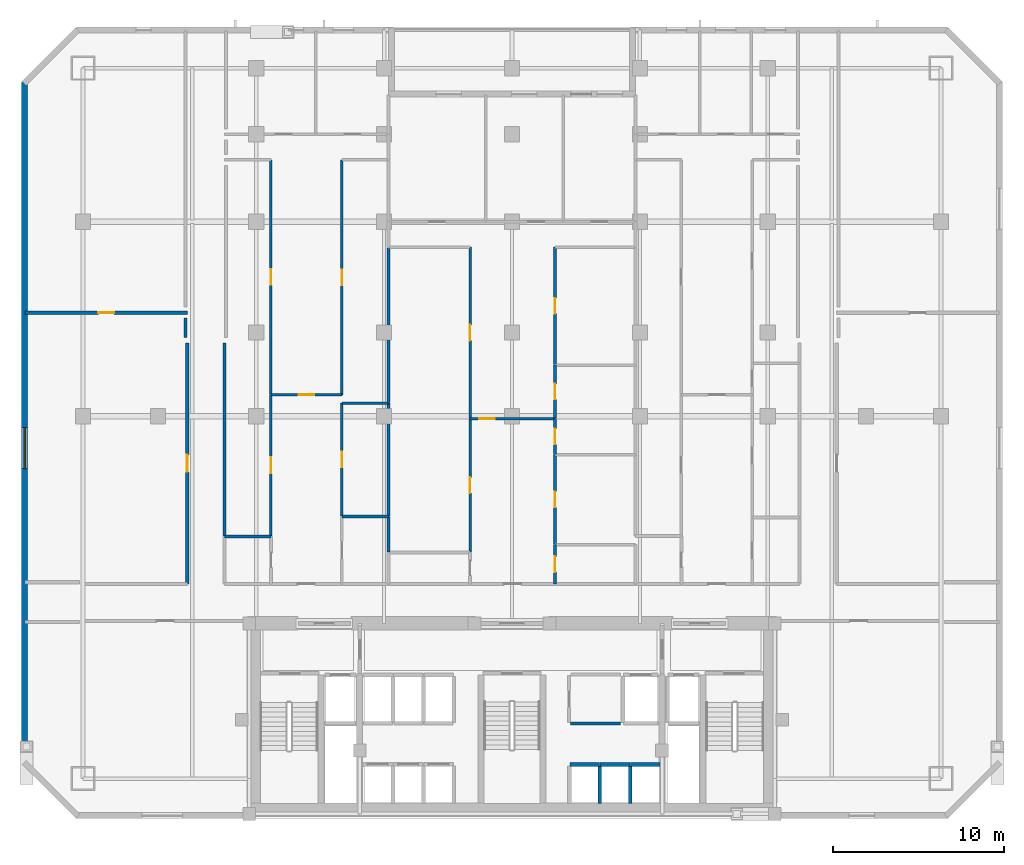
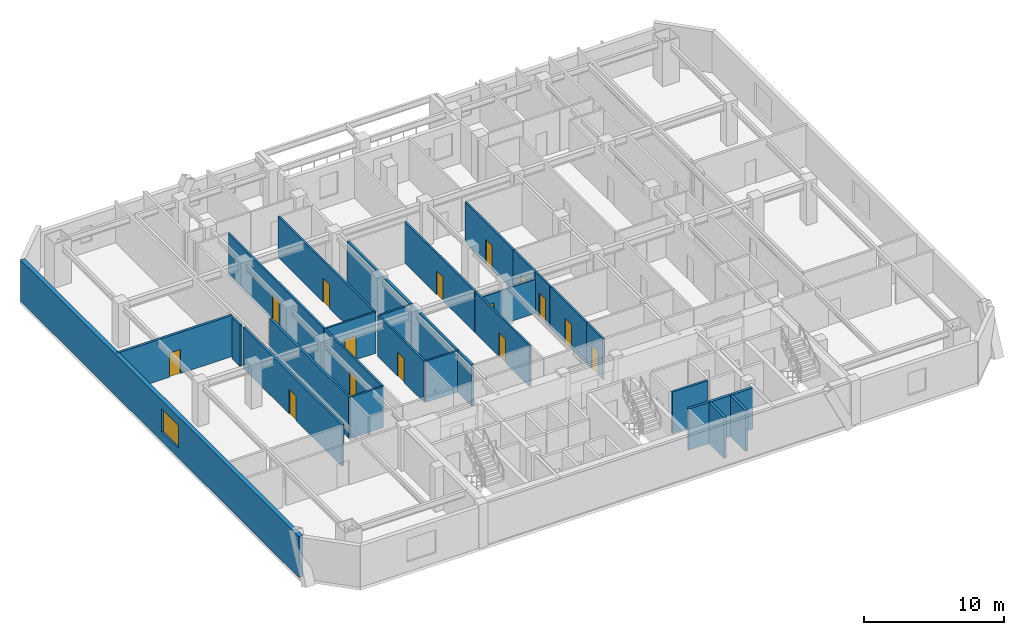
# One storey, part 4 of 10: 30 walls, 15 doors, 1 window, 16 openings.
"""IFC4 building model written with IfcOpenShell, lengths in metres."""

from ifc_helpers import new_model, si_unit, direction, frame, frame_2d, origin, place, context, subcontext, project, spatial, rectangle, extrude, material, layer, layer_set, type_object, element, fill, save


model = new_model("IFC4")

# Units and contexts
model_context = context("Model", 3, precision=1e-05, world=origin(), true_north=direction((0.0, 1.0)))
body_context = subcontext(model_context, "Body", "Model", "MODEL_VIEW")
ifc_project = project(units=[si_unit("LENGTHUNIT", "METRE"), si_unit("AREAUNIT", "SQUARE_METRE"), si_unit("VOLUMEUNIT", "CUBIC_METRE"), si_unit("PLANEANGLEUNIT", "RADIAN"), si_unit("MASSUNIT", "GRAM", prefix="KILO")], contexts=[model_context])

# Site, building, storey
site_placement = place(None, origin())
site = spatial("IfcSite", under=ifc_project, at=site_placement, CompositionType="ELEMENT")
building_placement = place(site_placement, origin())
building = spatial("IfcBuilding", under=site, at=building_placement, Name="Ventersveld Concourse Tower", CompositionType="ELEMENT")
storey_placement = place(building_placement, frame((0.0, 0.0, 60.60009765625)))
storey = spatial("IfcBuildingStorey", under=building, at=storey_placement, Name="L14", CompositionType="ELEMENT", Elevation=60.60009765625)

# Wall
ifc_material_1 = material(Name="Fire-rated autoclaved aerated masonry blockwork", Category="masonry")
ifc_layer_1 = layer(ifc_material_1, 0.179931640625)
ifc_layer_set_1 = layer_set([ifc_layer_1], Name="Fire-rated autoclaved aerated masonry blockwork")
wall_type_1 = type_object("IfcWallType", Name="WL-CORR-180", PredefinedType="PARTITIONING", material=ifc_layer_set_1)
wall_1_placement = place(storey_placement, frame((32.179931640625, 5.570068359375, 0.0), z_axis=(0.0, 0.0, 1.0), x_axis=(1.0, 0.0, 0.0)))
element("IfcWall", 1, at=wall_1_placement, inside=storey, type_object=wall_type_1, Name="L14 Core Bot Wall SP-L14-CBAY1", PredefinedType="PARTITIONING", context=body_context, shape_type="SweptSolid", body=[
    extrude(rectangle(XDim=2.920166015625, YDim=0.179931640625, at=frame_2d((1.4599609375, 0.0))), origin(), (0.0, 0.0, 1.0), 3.599853515625),
])

# Wall, opening, door
wall_2_placement = place(storey_placement, frame((9.7099609375, 13.764892578125, 0.0), z_axis=(0.0, 0.0, 1.0), x_axis=(0.0, 1.0, 0.0)))
wall_2 = element("IfcWall", 2, at=wall_2_placement, inside=storey, type_object=wall_type_1, Name="L14 Interior Partition SP-L14-COR-SP-L14-NWLNG1", PredefinedType="PARTITIONING", context=body_context, shape_type="SweptSolid", body=[
    extrude(rectangle(XDim=14.130126953125, YDim=0.179931640625, at=frame_2d((7.06494140625, 0.0))), origin(), (0.0, 0.0, 1.0), 3.599853515625),
])
opening_1_placement = place(wall_2_placement, frame((6.56494140625, 0.0, 0.0)))
opening_1 = element("IfcOpeningElement", 3, at=opening_1_placement, cuts=wall_2, Name="Opening FD3", PredefinedType="OPENING", context=body_context, shape_type="SweptSolid", body=[
    extrude(rectangle(XDim=1.0, YDim=2.14990234375, at=frame_2d((0.5, 1.074951171875))), frame((0.0, 0.10009765625, 0.0), z_axis=(0.0, -1.0, 0.0), x_axis=(1.0, 0.0, 0.0)), (0.0, 0.0, 1.0), 0.199951171875),
])
ifc_material_2 = material(Name="Solid-core hardwood veneer timber", Category="wood")
door_type_1 = type_object("IfcDoorType", Name="DR-FLAT-100", OperationType="NOTDEFINED", PredefinedType="DOOR", material=ifc_material_2)
door_1_placement = place(opening_1_placement, origin())
door_1 = element("IfcDoor", 4, at=door_1_placement, inside=storey, type_object=door_type_1, Name="L14 Interior Door SP-L14-COR to SP-L14-NWLNG1 (D-L14-0607)", OperationType="SINGLE_SWING_LEFT", OverallHeight=2.14990234375, OverallWidth=1.0, PredefinedType="DOOR", context=body_context, shape_type="SweptSolid", body=[
    extrude(rectangle(XDim=1.0, YDim=2.14990234375, at=frame_2d((0.5, 1.074951171875))), frame((0.0, 0.02490234375, 0.0), z_axis=(0.0, -1.0, 0.0), x_axis=(1.0, 0.0, 0.0)), (0.0, 0.0, 1.0), 0.050048828125),
])
fill(opening_1, door_1)

# Walls
wall_3_placement = place(storey_placement, frame((11.889892578125, 16.574462890625, 0.0), z_axis=(0.0, 0.0, 1.0), x_axis=(0.0, 1.0, 0.0)))
element("IfcWall", 5, at=wall_3_placement, inside=storey, type_object=wall_type_1, Name="L14 Interior Partition SP-L14-COR-SP-L14-14CW-OFFL0", PredefinedType="PARTITIONING", context=body_context, shape_type="SweptSolid", body=[
    extrude(rectangle(XDim=11.320556640625, YDim=0.179931640625, at=frame_2d((5.66015625, 0.0))), origin(), (0.0, 0.0, 1.0), 3.599853515625),
])
wall_4_placement = place(storey_placement, frame((9.6201171875, 29.344970703125, 0.0), z_axis=(0.0, 0.0, 1.0), x_axis=(0.0, -1.0, 0.0)))
element("IfcWall", 6, at=wall_4_placement, inside=storey, type_object=wall_type_1, Name="L14 Room Enclosure Wall SP-L14-NWLNG1", PredefinedType="PARTITIONING", context=body_context, shape_type="SweptSolid", body=[
    extrude(rectangle(XDim=1.135009765625, YDim=0.179931640625, at=frame_2d((0.5673828125, 0.0))), origin(), (0.0, 0.0, 1.0), 3.599853515625),
])

# Wall, opening, door
ifc_layer_2 = layer(ifc_material_1, 0.199951171875)
ifc_layer_set_2 = layer_set([ifc_layer_2], Name="Fire-rated autoclaved aerated masonry blockwork")
wall_type_2 = type_object("IfcWallType", Name="WL-DEMISE-200", PredefinedType="PARTITIONING", material=ifc_layer_set_2)
wall_5_placement = place(storey_placement, frame((0.2099609375, 29.669921875, 0.0), z_axis=(0.0, 0.0, 1.0), x_axis=(1.0, 0.0, 0.0)))
wall_5 = element("IfcWall", 7, at=wall_5_placement, inside=storey, type_object=wall_type_2, Name="L14 Interior Partition SP-L14-NWLNG1-SP-L14-NWLNG2", PredefinedType="PARTITIONING", context=body_context, shape_type="SweptSolid", body=[
    extrude(rectangle(XDim=9.505126953125, YDim=0.199951171875, at=frame_2d((4.75244140625, 0.0))), origin(), (0.0, 0.0, 1.0), 3.599853515625),
])
opening_2_placement = place(wall_5_placement, frame((4.29248046875, 0.0, 0.0)))
opening_2 = element("IfcOpeningElement", 8, at=opening_2_placement, cuts=wall_5, Name="Opening ID1", PredefinedType="OPENING", context=body_context, shape_type="SweptSolid", body=[
    extrude(rectangle(XDim=0.919921875, YDim=2.10009765625, at=frame_2d((0.4599609375, 1.050048828125))), frame((0.0, 0.10986328125, 0.0), z_axis=(0.0, -1.0, 0.0), x_axis=(1.0, 0.0, 0.0)), (0.0, 0.0, 1.0), 0.219970703125),
])
door_type_2 = type_object("IfcDoorType", Name="DR-ROOM-092", OperationType="NOTDEFINED", PredefinedType="DOOR", material=ifc_material_2)
door_2_placement = place(opening_2_placement, origin())
door_2 = element("IfcDoor", 9, at=door_2_placement, inside=storey, type_object=door_type_2, Name="L14 Interior Door SP-L14-NWLNG1 to SP-L14-NWLNG2 (D-L14-0612)", OperationType="SINGLE_SWING_RIGHT", OverallHeight=2.10009765625, OverallWidth=0.919921875, PredefinedType="DOOR", context=body_context, shape_type="SweptSolid", body=[
    extrude(rectangle(XDim=0.919921875, YDim=2.10009765625, at=frame_2d((0.4599609375, 1.050048828125))), frame((0.0, 0.02490234375, 0.0), z_axis=(0.0, -1.0, 0.0), x_axis=(1.0, 0.0, 0.0)), (0.0, 0.0, 1.0), 0.050048828125),
])
fill(opening_2, door_2)

# Walls
wall_6_placement = place(storey_placement, frame((21.510009765625, 15.635009765625, 0.0), z_axis=(0.0, 0.0, 1.0), x_axis=(0.0, 1.0, 0.0)))
element("IfcWall", 10, at=wall_6_placement, inside=storey, type_object=wall_type_2, Name="L14 Interior Partition SP-L14-14CW-KIT-SP-L14-14CM-SEML0", PredefinedType="PARTITIONING", context=body_context, shape_type="SweptSolid", body=[
    extrude(rectangle(XDim=2.08642578125, YDim=0.199951171875, at=frame_2d((1.043212890625, 0.0))), origin(), (0.0, 0.0, 1.0), 3.599853515625),
])
wall_7_placement = place(storey_placement, frame((21.510009765625, 17.75146484375, 0.0), z_axis=(0.0, 0.0, 1.0), x_axis=(0.0, 1.0, 0.0)))
element("IfcWall", 11, at=wall_7_placement, inside=storey, type_object=wall_type_2, Name="L14 Interior Partition SP-L14-14CW-SEMR1-SP-L14-14CM-SEML0", PredefinedType="PARTITIONING", context=body_context, shape_type="SweptSolid", body=[
    extrude(rectangle(XDim=6.6064453125, YDim=0.199951171875, at=frame_2d((3.30322265625, 0.0))), origin(), (0.0, 0.0, 1.0), 3.599853515625),
])
wall_8_placement = place(storey_placement, frame((21.510009765625, 24.387939453125, 0.0), z_axis=(0.0, 0.0, 1.0), x_axis=(0.0, 1.0, 0.0)))
element("IfcWall", 12, at=wall_8_placement, inside=storey, type_object=wall_type_2, Name="L14 Interior Partition SP-L14-14CW-DENS-SP-L14-14CM-SEML0", PredefinedType="PARTITIONING", context=body_context, shape_type="SweptSolid", body=[
    extrude(rectangle(XDim=9.0771484375, YDim=0.199951171875, at=frame_2d((4.53857421875, 0.0))), origin(), (0.0, 0.0, 1.0), 3.599853515625),
])
ifc_layer_3 = layer(ifc_material_1, 0.219970703125)
ifc_layer_set_3 = layer_set([ifc_layer_3], Name="Fire-rated autoclaved aerated masonry blockwork")
wall_type_3 = type_object("IfcWallType", Name="WL-HOIST-220", PredefinedType="SOLIDWALL", material=ifc_layer_set_3)
wall_9_placement = place(storey_placement, frame((33.89990234375, 0.89990234375, 0.0), z_axis=(0.0, 0.0, 1.0), x_axis=(0.0, 1.0, 0.0)))
element("IfcWall", 13, at=wall_9_placement, inside=storey, type_object=wall_type_3, Name="L14 Lift Hoistway Side Wall PM-01E", PredefinedType="SOLIDWALL", context=body_context, shape_type="SweptSolid", body=[
    extrude(rectangle(XDim=2.2001953125, YDim=0.219970703125, at=frame_2d((1.10009765625, 0.0))), origin(), (0.0, 0.0, 1.0), 3.599853515625),
])
wall_10_placement = place(storey_placement, frame((32.139892578125, 3.179931640625, 0.0), z_axis=(0.0, 0.0, 1.0), x_axis=(1.0, 0.0, 0.0)))
element("IfcWall", 14, at=wall_10_placement, inside=storey, type_object=wall_type_3, Name="L14 Lift Hoistway Front Wall PM-01", PredefinedType="SOLIDWALL", context=body_context, shape_type="SweptSolid", body=[
    extrude(rectangle(XDim=1.739990234375, YDim=0.219970703125, at=frame_2d((0.8701171875, 0.0))), origin(), (0.0, 0.0, 1.0), 3.599853515625),
])
wall_11_placement = place(storey_placement, frame((35.679931640625, 0.89990234375, 0.0), z_axis=(0.0, 0.0, 1.0), x_axis=(0.0, 1.0, 0.0)))
element("IfcWall", 15, at=wall_11_placement, inside=storey, type_object=wall_type_3, Name="L14 Lift Hoistway Side Wall PM-02E", PredefinedType="SOLIDWALL", context=body_context, shape_type="SweptSolid", body=[
    extrude(rectangle(XDim=2.2001953125, YDim=0.219970703125, at=frame_2d((1.10009765625, 0.0))), origin(), (0.0, 0.0, 1.0), 3.599853515625),
])
for number, where, z_axis, x_axis, name in (
    (16, (33.919921875, 3.179931640625, 0.0), (0.0, 0.0, 1.0), (1.0, 0.0, 0.0), "L14 Lift Hoistway Front Wall PM-02"),
    (17, (35.699951171875, 3.179931640625, 0.0), (0.0, 0.0, 1.0), (1.0, 0.0, 0.0), "L14 Lift Hoistway Front Wall PM-03"),
):
    element("IfcWall", number, at=place(storey_placement, frame(where, z_axis=z_axis, x_axis=x_axis)), inside=storey, type_object=wall_type_3, Name=name, PredefinedType="SOLIDWALL", context=body_context, shape_type="SweptSolid", body=[
        extrude(rectangle(XDim=1.739990234375, YDim=0.219970703125, at=frame_2d((0.8701171875, 0.0))), origin(), (0.0, 0.0, 1.0), 3.599853515625),
    ])

# Wall, opening, door
ifc_material_3 = material(Name="Autoclaved aerated masonry blockwork", Category="masonry")
ifc_layer_4 = layer(ifc_material_3, 0.14990234375)
ifc_layer_set_4 = layer_set([ifc_layer_4], Name="Autoclaved aerated masonry blockwork")
wall_type_4 = type_object("IfcWallType", Name="WL-INT-150", PredefinedType="PARTITIONING", material=ifc_layer_set_4)
wall_12_placement = place(storey_placement, frame((14.61376953125, 24.853759765625, 0.0), z_axis=(0.0, 0.0, 1.0), x_axis=(1.0, 0.0, 0.0)))
wall_12 = element("IfcWall", 18, at=wall_12_placement, inside=storey, type_object=wall_type_4, Name="L14 Interior Partition SP-L14-14CW-FOY-SP-L14-14CW-LIV", PredefinedType="PARTITIONING", context=body_context, shape_type="SweptSolid", body=[
    extrude(rectangle(XDim=4.17236328125, YDim=0.14990234375, at=frame_2d((2.086181640625, 0.0))), origin(), (0.0, 0.0, 1.0), 3.599853515625),
])
opening_3_placement = place(wall_12_placement, frame((1.626220703125, 0.0, 0.0)))
opening_3 = element("IfcOpeningElement", 19, at=opening_3_placement, cuts=wall_12, Name="Opening ID1", PredefinedType="OPENING", context=body_context, shape_type="SweptSolid", body=[
    extrude(rectangle(XDim=0.919921875, YDim=2.10009765625, at=frame_2d((0.4599609375, 1.050048828125))), frame((0.0, 0.0849609375, 0.0), z_axis=(0.0, -1.0, 0.0), x_axis=(1.0, 0.0, 0.0)), (0.0, 0.0, 1.0), 0.169921875),
])
door_3_placement = place(opening_3_placement, origin())
door_3 = element("IfcDoor", 20, at=door_3_placement, inside=storey, type_object=door_type_2, Name="L14 Interior Door SP-L14-14CW-FOY to SP-L14-14CW-LIV (D-L14-0614)", OperationType="SINGLE_SWING_RIGHT", OverallHeight=2.10009765625, OverallWidth=0.919921875, PredefinedType="DOOR", context=body_context, shape_type="SweptSolid", body=[
    extrude(rectangle(XDim=0.919921875, YDim=2.10009765625, at=frame_2d((0.4599609375, 1.050048828125))), frame((0.0, 0.02490234375, 0.0), z_axis=(0.0, -1.0, 0.0), x_axis=(1.0, 0.0, 0.0)), (0.0, 0.0, 1.0), 0.050048828125),
])
fill(opening_3, door_3)

wall_13_placement = place(storey_placement, frame((14.618896484375, 16.574462890625, 0.0), z_axis=(0.0, 0.0, 1.0), x_axis=(0.0, 1.0, 0.0)))
wall_13 = element("IfcWall", 21, at=wall_13_placement, inside=storey, type_object=wall_type_4, Name="L14 Interior Partition SP-L14-14CW-FOY-SP-L14-14CW-OFFL0", PredefinedType="PARTITIONING", context=body_context, shape_type="SweptSolid", body=[
    extrude(rectangle(XDim=8.284423828125, YDim=0.14990234375, at=frame_2d((4.14208984375, 0.0))), origin(), (0.0, 0.0, 1.0), 3.599853515625),
])
opening_4_placement = place(wall_13_placement, frame((3.68212890625, 0.0, 0.0)))
opening_4 = element("IfcOpeningElement", 22, at=opening_4_placement, cuts=wall_13, Name="Opening ID1", PredefinedType="OPENING", context=body_context, shape_type="SweptSolid", body=[
    extrude(rectangle(XDim=0.919921875, YDim=2.10009765625, at=frame_2d((0.4599609375, 1.050048828125))), frame((0.0, 0.0849609375, 0.0), z_axis=(0.0, -1.0, 0.0), x_axis=(1.0, 0.0, 0.0)), (0.0, 0.0, 1.0), 0.169921875),
])
door_4_placement = place(opening_4_placement, origin())
door_4 = element("IfcDoor", 23, at=door_4_placement, inside=storey, type_object=door_type_2, Name="L14 Interior Door SP-L14-14CW-FOY to SP-L14-14CW-OFFL0 (D-L14-0616)", OperationType="SINGLE_SWING_RIGHT", OverallHeight=2.10009765625, OverallWidth=0.919921875, PredefinedType="DOOR", context=body_context, shape_type="SweptSolid", body=[
    extrude(rectangle(XDim=0.919921875, YDim=2.10009765625, at=frame_2d((0.4599609375, 1.050048828125))), frame((0.0, 0.02490234375, 0.0), z_axis=(0.0, -1.0, 0.0), x_axis=(1.0, 0.0, 0.0)), (0.0, 0.0, 1.0), 0.050048828125),
])
fill(opening_4, door_4)

wall_14_placement = place(storey_placement, frame((18.78125, 17.75146484375, 0.0), z_axis=(0.0, 0.0, 1.0), x_axis=(0.0, 1.0, 0.0)))
wall_14 = element("IfcWall", 24, at=wall_14_placement, inside=storey, type_object=wall_type_4, Name="L14 Interior Partition SP-L14-14CW-FOY-SP-L14-14CW-SEMR1", PredefinedType="PARTITIONING", context=body_context, shape_type="SweptSolid", body=[
    extrude(rectangle(XDim=6.6064453125, YDim=0.14990234375, at=frame_2d((3.30322265625, 0.0))), origin(), (0.0, 0.0, 1.0), 3.599853515625),
])
opening_5_placement = place(wall_14_placement, frame((2.84326171875, 0.0, 0.0)))
opening_5 = element("IfcOpeningElement", 25, at=opening_5_placement, cuts=wall_14, Name="Opening ID1", PredefinedType="OPENING", context=body_context, shape_type="SweptSolid", body=[
    extrude(rectangle(XDim=0.919921875, YDim=2.10009765625, at=frame_2d((0.4599609375, 1.050048828125))), frame((0.0, 0.0849609375, 0.0), z_axis=(0.0, -1.0, 0.0), x_axis=(1.0, 0.0, 0.0)), (0.0, 0.0, 1.0), 0.169921875),
])
door_5_placement = place(opening_5_placement, origin())
door_5 = element("IfcDoor", 26, at=door_5_placement, inside=storey, type_object=door_type_2, Name="L14 Interior Door SP-L14-14CW-FOY to SP-L14-14CW-SEMR1 (D-L14-0618)", OperationType="SINGLE_SWING_RIGHT", OverallHeight=2.10009765625, OverallWidth=0.919921875, PredefinedType="DOOR", context=body_context, shape_type="SweptSolid", body=[
    extrude(rectangle(XDim=0.919921875, YDim=2.10009765625, at=frame_2d((0.4599609375, 1.050048828125))), frame((0.0, 0.02490234375, 0.0), z_axis=(0.0, -1.0, 0.0), x_axis=(1.0, 0.0, 0.0)), (0.0, 0.0, 1.0), 0.050048828125),
])
fill(opening_5, door_5)

wall_15_placement = place(storey_placement, frame((14.618896484375, 24.888916015625, 0.0), z_axis=(0.0, 0.0, 1.0), x_axis=(0.0, 1.0, 0.0)))
wall_15 = element("IfcWall", 27, at=wall_15_placement, inside=storey, type_object=wall_type_4, Name="L14 Interior Partition SP-L14-14CW-LIV-SP-L14-14CW-OFFL0", PredefinedType="PARTITIONING", context=body_context, shape_type="SweptSolid", body=[
    extrude(rectangle(XDim=13.736083984375, YDim=0.14990234375, at=frame_2d((6.8681640625, 0.0))), origin(), (0.0, 0.0, 1.0), 3.599853515625),
])
opening_6_placement = place(wall_15_placement, frame((6.408203125, 0.0, 0.0)))
opening_6 = element("IfcOpeningElement", 28, at=opening_6_placement, cuts=wall_15, Name="Opening ID1", PredefinedType="OPENING", context=body_context, shape_type="SweptSolid", body=[
    extrude(rectangle(XDim=0.919921875, YDim=2.10009765625, at=frame_2d((0.4599609375, 1.050048828125))), frame((0.0, 0.0849609375, 0.0), z_axis=(0.0, -1.0, 0.0), x_axis=(1.0, 0.0, 0.0)), (0.0, 0.0, 1.0), 0.169921875),
])
door_6_placement = place(opening_6_placement, origin())
door_6 = element("IfcDoor", 29, at=door_6_placement, inside=storey, type_object=door_type_2, Name="L14 Interior Door SP-L14-14CW-LIV to SP-L14-14CW-OFFL0 (D-L14-0619)", OperationType="SINGLE_SWING_LEFT", OverallHeight=2.10009765625, OverallWidth=0.919921875, PredefinedType="DOOR", context=body_context, shape_type="SweptSolid", body=[
    extrude(rectangle(XDim=0.919921875, YDim=2.10009765625, at=frame_2d((0.4599609375, 1.050048828125))), frame((0.0, 0.02490234375, 0.0), z_axis=(0.0, -1.0, 0.0), x_axis=(1.0, 0.0, 0.0)), (0.0, 0.0, 1.0), 0.050048828125),
])
fill(opening_6, door_6)

wall_16_placement = place(storey_placement, frame((18.78125, 24.848876953125, 0.0), z_axis=(0.0, 0.0, 1.0), x_axis=(0.0, 1.0, 0.0)))
wall_16 = element("IfcWall", 30, at=wall_16_placement, inside=storey, type_object=wall_type_4, Name="L14 Interior Partition SP-L14-14CW-LIV-SP-L14-14CW-DENS", PredefinedType="PARTITIONING", context=body_context, shape_type="SweptSolid", body=[
    extrude(rectangle(XDim=13.776123046875, YDim=0.14990234375, at=frame_2d((6.88818359375, 0.0))), origin(), (0.0, 0.0, 1.0), 3.599853515625),
])
opening_7_placement = place(wall_16_placement, frame((6.427978515625, 0.0, 0.0)))
opening_7 = element("IfcOpeningElement", 31, at=opening_7_placement, cuts=wall_16, Name="Opening ID1", PredefinedType="OPENING", context=body_context, shape_type="SweptSolid", body=[
    extrude(rectangle(XDim=0.919921875, YDim=2.10009765625, at=frame_2d((0.4599609375, 1.050048828125))), frame((0.0, 0.0849609375, 0.0), z_axis=(0.0, -1.0, 0.0), x_axis=(1.0, 0.0, 0.0)), (0.0, 0.0, 1.0), 0.169921875),
])
door_7_placement = place(opening_7_placement, origin())
door_7 = element("IfcDoor", 32, at=door_7_placement, inside=storey, type_object=door_type_2, Name="L14 Interior Door SP-L14-14CW-LIV to SP-L14-14CW-DENS (D-L14-0620)", OperationType="SINGLE_SWING_RIGHT", OverallHeight=2.10009765625, OverallWidth=0.919921875, PredefinedType="DOOR", context=body_context, shape_type="SweptSolid", body=[
    extrude(rectangle(XDim=0.919921875, YDim=2.10009765625, at=frame_2d((0.4599609375, 1.050048828125))), frame((0.0, 0.02490234375, 0.0), z_axis=(0.0, -1.0, 0.0), x_axis=(1.0, 0.0, 0.0)), (0.0, 0.0, 1.0), 0.050048828125),
])
fill(opening_7, door_7)

# Walls
for number, where, z_axis, x_axis, name in (
    (33, (18.776123046875, 17.716552734375, 0.0), (0.0, 0.0, 1.0), (1.0, 0.0, 0.0), "L14 Interior Partition SP-L14-14CW-KIT-SP-L14-14CW-SEMR1"),
    (34, (18.776123046875, 24.35302734375, 0.0), (0.0, 0.0, 1.0), (1.0, 0.0, 0.0), "L14 Interior Partition SP-L14-14CW-SEMR1-SP-L14-14CW-DENS"),
):
    element("IfcWall", number, at=place(storey_placement, frame(where, z_axis=z_axis, x_axis=x_axis)), inside=storey, type_object=wall_type_4, Name=name, PredefinedType="PARTITIONING", context=body_context, shape_type="SweptSolid", body=[
        extrude(rectangle(XDim=2.73876953125, YDim=0.14990234375, at=frame_2d((1.369384765625, 0.0))), origin(), (0.0, 0.0, 1.0), 3.599853515625),
    ])

# Wall, opening, door
wall_17_placement = place(storey_placement, frame((26.28466796875, 23.44580078125, 0.0), z_axis=(0.0, 0.0, 1.0), x_axis=(1.0, 0.0, 0.0)))
wall_17 = element("IfcWall", 35, at=wall_17_placement, inside=storey, type_object=wall_type_4, Name="L14 Interior Partition SP-L14-14CM-FOY-SP-L14-14CM-LIV", PredefinedType="PARTITIONING", context=body_context, shape_type="SweptSolid", body=[
    extrude(rectangle(XDim=4.989990234375, YDim=0.14990234375, at=frame_2d((2.4951171875, 0.0))), origin(), (0.0, 0.0, 1.0), 2.964111328125),
])
opening_8_placement = place(wall_17_placement, frame((0.5380859375, 0.0, 0.0)))
opening_8 = element("IfcOpeningElement", 36, at=opening_8_placement, cuts=wall_17, Name="Opening ID1", PredefinedType="OPENING", context=body_context, shape_type="SweptSolid", body=[
    extrude(rectangle(XDim=0.919921875, YDim=2.10009765625, at=frame_2d((0.4599609375, 1.050048828125))), frame((0.0, 0.0849609375, 0.0), z_axis=(0.0, -1.0, 0.0), x_axis=(1.0, 0.0, 0.0)), (0.0, 0.0, 1.0), 0.169921875),
])
door_8_placement = place(opening_8_placement, origin())
door_8 = element("IfcDoor", 37, at=door_8_placement, inside=storey, type_object=door_type_2, Name="L14 Interior Door SP-L14-14CM-FOY to SP-L14-14CM-LIV (D-L14-0634)", OperationType="SINGLE_SWING_RIGHT", OverallHeight=2.10009765625, OverallWidth=0.919921875, PredefinedType="DOOR", context=body_context, shape_type="SweptSolid", body=[
    extrude(rectangle(XDim=0.919921875, YDim=2.10009765625, at=frame_2d((0.4599609375, 1.050048828125))), frame((0.0, 0.02490234375, 0.0), z_axis=(0.0, -1.0, 0.0), x_axis=(1.0, 0.0, 0.0)), (0.0, 0.0, 1.0), 0.050048828125),
])
fill(opening_8, door_8)

wall_18_placement = place(storey_placement, frame((26.289794921875, 15.635009765625, 0.0), z_axis=(0.0, 0.0, 1.0), x_axis=(0.0, 1.0, 0.0)))
wall_18 = element("IfcWall", 38, at=wall_18_placement, inside=storey, type_object=wall_type_4, Name="L14 Interior Partition SP-L14-14CM-FOY-SP-L14-14CM-SEML0", PredefinedType="PARTITIONING", context=body_context, shape_type="SweptSolid", body=[
    extrude(rectangle(XDim=7.815673828125, YDim=0.14990234375, at=frame_2d((3.90771484375, 0.0))), origin(), (0.0, 0.0, 1.0), 3.599853515625),
])
opening_9_placement = place(wall_18_placement, frame((3.447998046875, 0.0, 0.0)))
opening_9 = element("IfcOpeningElement", 39, at=opening_9_placement, cuts=wall_18, Name="Opening ID1", PredefinedType="OPENING", context=body_context, shape_type="SweptSolid", body=[
    extrude(rectangle(XDim=0.919921875, YDim=2.10009765625, at=frame_2d((0.4599609375, 1.050048828125))), frame((0.0, 0.0849609375, 0.0), z_axis=(0.0, -1.0, 0.0), x_axis=(1.0, 0.0, 0.0)), (0.0, 0.0, 1.0), 0.169921875),
])
door_9_placement = place(opening_9_placement, origin())
door_9 = element("IfcDoor", 40, at=door_9_placement, inside=storey, type_object=door_type_2, Name="L14 Interior Door SP-L14-14CM-FOY to SP-L14-14CM-SEML0 (D-L14-0636)", OperationType="SINGLE_SWING_RIGHT", OverallHeight=2.10009765625, OverallWidth=0.919921875, PredefinedType="DOOR", context=body_context, shape_type="SweptSolid", body=[
    extrude(rectangle(XDim=0.919921875, YDim=2.10009765625, at=frame_2d((0.4599609375, 1.050048828125))), frame((0.0, 0.02490234375, 0.0), z_axis=(0.0, -1.0, 0.0), x_axis=(1.0, 0.0, 0.0)), (0.0, 0.0, 1.0), 0.050048828125),
])
fill(opening_9, door_9)

wall_19_placement = place(storey_placement, frame((31.269775390625, 13.764892578125, 0.0), z_axis=(0.0, 0.0, 1.0), x_axis=(0.0, 1.0, 0.0)))
wall_19 = element("IfcWall", 41, at=wall_19_placement, inside=storey, type_object=wall_type_4, Name="L14 Interior Partition SP-L14-14CM-FOY-SP-L14-14CM-KIT", PredefinedType="PARTITIONING", context=body_context, shape_type="SweptSolid", body=[
    extrude(rectangle(XDim=2.304443359375, YDim=0.14990234375, at=frame_2d((1.15234375, 0.0))), origin(), (0.0, 0.0, 1.0), 3.599853515625),
])
opening_10_placement = place(wall_19_placement, frame((0.692138671875, 0.0, 0.0)))
opening_10 = element("IfcOpeningElement", 42, at=opening_10_placement, cuts=wall_19, Name="Opening ID1", PredefinedType="OPENING", context=body_context, shape_type="SweptSolid", body=[
    extrude(rectangle(XDim=0.919921875, YDim=2.10009765625, at=frame_2d((0.4599609375, 1.050048828125))), frame((0.0, 0.0849609375, 0.0), z_axis=(0.0, -1.0, 0.0), x_axis=(1.0, 0.0, 0.0)), (0.0, 0.0, 1.0), 0.169921875),
])
door_10_placement = place(opening_10_placement, origin())
door_10 = element("IfcDoor", 43, at=door_10_placement, inside=storey, type_object=door_type_2, Name="L14 Interior Door SP-L14-14CM-FOY to SP-L14-14CM-KIT (D-L14-0637)", OperationType="SINGLE_SWING_LEFT", OverallHeight=2.10009765625, OverallWidth=0.919921875, PredefinedType="DOOR", context=body_context, shape_type="SweptSolid", body=[
    extrude(rectangle(XDim=0.919921875, YDim=2.10009765625, at=frame_2d((0.4599609375, 1.050048828125))), frame((0.0, 0.02490234375, 0.0), z_axis=(0.0, -1.0, 0.0), x_axis=(1.0, 0.0, 0.0)), (0.0, 0.0, 1.0), 0.050048828125),
])
fill(opening_10, door_10)

wall_20_placement = place(storey_placement, frame((31.269775390625, 16.099365234375, 0.0), z_axis=(0.0, 0.0, 1.0), x_axis=(0.0, 1.0, 0.0)))
wall_20 = element("IfcWall", 44, at=wall_20_placement, inside=storey, type_object=wall_type_4, Name="L14 Interior Partition SP-L14-14CM-FOY-SP-L14-14CM-DENR", PredefinedType="PARTITIONING", context=body_context, shape_type="SweptSolid", body=[
    extrude(rectangle(XDim=5.233642578125, YDim=0.14990234375, at=frame_2d((2.61669921875, 0.0))), origin(), (0.0, 0.0, 1.0), 3.599853515625),
])
opening_11_placement = place(wall_20_placement, frame((2.15673828125, 0.0, 0.0)))
opening_11 = element("IfcOpeningElement", 45, at=opening_11_placement, cuts=wall_20, Name="Opening ID1", PredefinedType="OPENING", context=body_context, shape_type="SweptSolid", body=[
    extrude(rectangle(XDim=0.919921875, YDim=2.10009765625, at=frame_2d((0.4599609375, 1.050048828125))), frame((0.0, 0.0849609375, 0.0), z_axis=(0.0, -1.0, 0.0), x_axis=(1.0, 0.0, 0.0)), (0.0, 0.0, 1.0), 0.169921875),
])
door_11_placement = place(opening_11_placement, origin())
door_11 = element("IfcDoor", 46, at=door_11_placement, inside=storey, type_object=door_type_2, Name="L14 Interior Door SP-L14-14CM-FOY to SP-L14-14CM-DENR (D-L14-0638)", OperationType="SINGLE_SWING_RIGHT", OverallHeight=2.10009765625, OverallWidth=0.919921875, PredefinedType="DOOR", context=body_context, shape_type="SweptSolid", body=[
    extrude(rectangle(XDim=0.919921875, YDim=2.10009765625, at=frame_2d((0.4599609375, 1.050048828125))), frame((0.0, 0.02490234375, 0.0), z_axis=(0.0, -1.0, 0.0), x_axis=(1.0, 0.0, 0.0)), (0.0, 0.0, 1.0), 0.050048828125),
])
fill(opening_11, door_11)

wall_21_placement = place(storey_placement, frame((31.269775390625, 21.363037109375, 0.0), z_axis=(0.0, 0.0, 1.0), x_axis=(0.0, 1.0, 0.0)))
wall_21 = element("IfcWall", 47, at=wall_21_placement, inside=storey, type_object=wall_type_4, Name="L14 Interior Partition SP-L14-14CM-FOY-SP-L14-14CM-DENS", PredefinedType="PARTITIONING", context=body_context, shape_type="SweptSolid", body=[
    extrude(rectangle(XDim=2.087646484375, YDim=0.14990234375, at=frame_2d((1.0439453125, 0.0))), origin(), (0.0, 0.0, 1.0), 3.599853515625),
])
opening_12_placement = place(wall_21_placement, frame((0.583740234375, 0.0, 0.0)))
opening_12 = element("IfcOpeningElement", 48, at=opening_12_placement, cuts=wall_21, Name="Opening ID1", PredefinedType="OPENING", context=body_context, shape_type="SweptSolid", body=[
    extrude(rectangle(XDim=0.919921875, YDim=2.10009765625, at=frame_2d((0.4599609375, 1.050048828125))), frame((0.0, 0.0849609375, 0.0), z_axis=(0.0, -1.0, 0.0), x_axis=(1.0, 0.0, 0.0)), (0.0, 0.0, 1.0), 0.169921875),
])
door_12_placement = place(opening_12_placement, origin())
door_12 = element("IfcDoor", 49, at=door_12_placement, inside=storey, type_object=door_type_2, Name="L14 Interior Door SP-L14-14CM-FOY to SP-L14-14CM-DENS (D-L14-0639)", OperationType="SINGLE_SWING_LEFT", OverallHeight=2.10009765625, OverallWidth=0.919921875, PredefinedType="DOOR", context=body_context, shape_type="SweptSolid", body=[
    extrude(rectangle(XDim=0.919921875, YDim=2.10009765625, at=frame_2d((0.4599609375, 1.050048828125))), frame((0.0, 0.02490234375, 0.0), z_axis=(0.0, -1.0, 0.0), x_axis=(1.0, 0.0, 0.0)), (0.0, 0.0, 1.0), 0.050048828125),
])
fill(opening_12, door_12)

wall_22_placement = place(storey_placement, frame((26.289794921875, 23.480712890625, 0.0), z_axis=(0.0, 0.0, 1.0), x_axis=(0.0, 1.0, 0.0)))
wall_22 = element("IfcWall", 50, at=wall_22_placement, inside=storey, type_object=wall_type_4, Name="L14 Interior Partition SP-L14-14CM-LIV-SP-L14-14CM-SEML0", PredefinedType="PARTITIONING", context=body_context, shape_type="SweptSolid", body=[
    extrude(rectangle(XDim=10.024169921875, YDim=0.14990234375, at=frame_2d((5.01220703125, 0.0))), origin(), (0.0, 0.0, 1.0), 3.599853515625),
])
opening_13_placement = place(wall_22_placement, frame((4.552001953125, 0.0, 0.0)))
opening_13 = element("IfcOpeningElement", 51, at=opening_13_placement, cuts=wall_22, Name="Opening ID1", PredefinedType="OPENING", context=body_context, shape_type="SweptSolid", body=[
    extrude(rectangle(XDim=0.919921875, YDim=2.10009765625, at=frame_2d((0.4599609375, 1.050048828125))), frame((0.0, 0.0849609375, 0.0), z_axis=(0.0, -1.0, 0.0), x_axis=(1.0, 0.0, 0.0)), (0.0, 0.0, 1.0), 0.169921875),
])
door_13_placement = place(opening_13_placement, origin())
door_13 = element("IfcDoor", 52, at=door_13_placement, inside=storey, type_object=door_type_2, Name="L14 Interior Door SP-L14-14CM-LIV to SP-L14-14CM-SEML0 (D-L14-0640)", OperationType="SINGLE_SWING_RIGHT", OverallHeight=2.10009765625, OverallWidth=0.919921875, PredefinedType="DOOR", context=body_context, shape_type="SweptSolid", body=[
    extrude(rectangle(XDim=0.919921875, YDim=2.10009765625, at=frame_2d((0.4599609375, 1.050048828125))), frame((0.0, 0.02490234375, 0.0), z_axis=(0.0, -1.0, 0.0), x_axis=(1.0, 0.0, 0.0)), (0.0, 0.0, 1.0), 0.050048828125),
])
fill(opening_13, door_13)

wall_23_placement = place(storey_placement, frame((31.269775390625, 23.480712890625, 0.0), z_axis=(0.0, 0.0, 1.0), x_axis=(0.0, 1.0, 0.0)))
wall_23 = element("IfcWall", 53, at=wall_23_placement, inside=storey, type_object=wall_type_4, Name="L14 Interior Partition SP-L14-14CM-LIV-SP-L14-14CM-DENS", PredefinedType="PARTITIONING", context=body_context, shape_type="SweptSolid", body=[
    extrude(rectangle(XDim=3.115966796875, YDim=0.14990234375, at=frame_2d((1.55810546875, 0.0))), origin(), (0.0, 0.0, 1.0), 3.599853515625),
])
opening_14_placement = place(wall_23_placement, frame((1.097900390625, 0.0, 0.0)))
opening_14 = element("IfcOpeningElement", 54, at=opening_14_placement, cuts=wall_23, Name="Opening ID1", PredefinedType="OPENING", context=body_context, shape_type="SweptSolid", body=[
    extrude(rectangle(XDim=0.919921875, YDim=2.10009765625, at=frame_2d((0.4599609375, 1.050048828125))), frame((0.0, 0.0849609375, 0.0), z_axis=(0.0, -1.0, 0.0), x_axis=(1.0, 0.0, 0.0)), (0.0, 0.0, 1.0), 0.169921875),
])
door_14_placement = place(opening_14_placement, origin())
door_14 = element("IfcDoor", 55, at=door_14_placement, inside=storey, type_object=door_type_2, Name="L14 Interior Door SP-L14-14CM-LIV to SP-L14-14CM-DENS (D-L14-0641)", OperationType="SINGLE_SWING_LEFT", OverallHeight=2.10009765625, OverallWidth=0.919921875, PredefinedType="DOOR", context=body_context, shape_type="SweptSolid", body=[
    extrude(rectangle(XDim=0.919921875, YDim=2.10009765625, at=frame_2d((0.4599609375, 1.050048828125))), frame((0.0, 0.02490234375, 0.0), z_axis=(0.0, -1.0, 0.0), x_axis=(1.0, 0.0, 0.0)), (0.0, 0.0, 1.0), 0.050048828125),
])
fill(opening_14, door_14)

wall_24_placement = place(storey_placement, frame((31.269775390625, 26.626708984375, 0.0), z_axis=(0.0, 0.0, 1.0), x_axis=(0.0, 1.0, 0.0)))
wall_24 = element("IfcWall", 56, at=wall_24_placement, inside=storey, type_object=wall_type_4, Name="L14 Interior Partition SP-L14-14CM-LIV-SP-L14-14CM-DENS2", PredefinedType="PARTITIONING", context=body_context, shape_type="SweptSolid", body=[
    extrude(rectangle(XDim=6.878173828125, YDim=0.14990234375, at=frame_2d((3.43896484375, 0.0))), origin(), (0.0, 0.0, 1.0), 3.599853515625),
])
opening_15_placement = place(wall_24_placement, frame((2.97900390625, 0.0, 0.0)))
opening_15 = element("IfcOpeningElement", 57, at=opening_15_placement, cuts=wall_24, Name="Opening ID1", PredefinedType="OPENING", context=body_context, shape_type="SweptSolid", body=[
    extrude(rectangle(XDim=0.919921875, YDim=2.10009765625, at=frame_2d((0.4599609375, 1.050048828125))), frame((0.0, 0.0849609375, 0.0), z_axis=(0.0, -1.0, 0.0), x_axis=(1.0, 0.0, 0.0)), (0.0, 0.0, 1.0), 0.169921875),
])
door_15_placement = place(opening_15_placement, origin())
door_15 = element("IfcDoor", 58, at=door_15_placement, inside=storey, type_object=door_type_2, Name="L14 Interior Door SP-L14-14CM-LIV to SP-L14-14CM-DENS2 (D-L14-0642)", OperationType="SINGLE_SWING_RIGHT", OverallHeight=2.10009765625, OverallWidth=0.919921875, PredefinedType="DOOR", context=body_context, shape_type="SweptSolid", body=[
    extrude(rectangle(XDim=0.919921875, YDim=2.10009765625, at=frame_2d((0.4599609375, 1.050048828125))), frame((0.0, 0.02490234375, 0.0), z_axis=(0.0, -1.0, 0.0), x_axis=(1.0, 0.0, 0.0)), (0.0, 0.0, 1.0), 0.050048828125),
])
fill(opening_15, door_15)

# Wall, opening, window
ifc_material_4 = material(Name="Precast concrete C45/55", Category="concrete")
ifc_layer_5 = layer(ifc_material_4, 0.35009765625)
ifc_layer_set_5 = layer_set([ifc_layer_5], Name="Precast concrete C45/55")
wall_type_5 = type_object("IfcWallType", Name="WL-PREC-350", PredefinedType="SOLIDWALL", material=ifc_layer_set_5)
wall_25_placement = place(storey_placement, frame((0.175048828125, 43.159912109375, 0.0), z_axis=(0.0, 0.0, 1.0), x_axis=(0.0, -1.0, 0.0)))
wall_25 = element("IfcWall", 59, at=wall_25_placement, inside=storey, type_object=wall_type_5, Name="L14 Highveld Precast Facade Wall E11", PredefinedType="SOLIDWALL", context=body_context, shape_type="SweptSolid", body=[
    extrude(rectangle(XDim=39.919921875, YDim=0.35009765625, at=frame_2d((19.9599609375, 0.0))), origin(), (0.0, 0.0, 1.0), 3.599853515625),
])
opening_16_placement = place(wall_25_placement, frame((20.239990234375, 0.0, 0.85009765625)))
opening_16 = element("IfcOpeningElement", 60, at=opening_16_placement, cuts=wall_25, Name="Opening W5", PredefinedType="OPENING", context=body_context, shape_type="SweptSolid", body=[
    extrude(rectangle(XDim=2.39990234375, YDim=2.0, at=frame_2d((1.199951171875, 1.0))), frame((0.0, 0.18505859375, 0.0), z_axis=(0.0, -1.0, 0.0), x_axis=(1.0, 0.0, 0.0)), (0.0, 0.0, 1.0), 0.3701171875),
])
ifc_material_5 = material(Name="Tempered acoustic Low-E IGU", Category="glass")
window_type = type_object("IfcWindowType", Name="WIN-240x210", PartitioningType="SINGLE_PANEL", PredefinedType="WINDOW", material=ifc_material_5)
window_placement = place(opening_16_placement, origin())
window = element("IfcWindow", 61, at=window_placement, inside=storey, type_object=window_type, Name="L14 Punched Low-E Window W-0111", OverallHeight=2.0, OverallWidth=2.39990234375, PartitioningType="SINGLE_PANEL", PredefinedType="WINDOW", context=body_context, shape_type="SweptSolid", body=[
    extrude(rectangle(XDim=2.39990234375, YDim=2.0, at=frame_2d((1.199951171875, 1.0))), frame((0.0, 0.030029296875, 0.0), z_axis=(0.0, -1.0, 0.0), x_axis=(1.0, 0.0, 0.0)), (0.0, 0.0, 1.0), 0.06005859375),
])
fill(opening_16, window)

# Wall
ifc_layer_6 = layer(ifc_material_3, 0.1650390625)
ifc_layer_set_6 = layer_set([ifc_layer_6], Name="Autoclaved aerated masonry blockwork")
wall_type_6 = type_object("IfcWallType", Name="WL-WET-165", PredefinedType="PLUMBINGWALL", material=ifc_layer_set_6)
wall_26_placement = place(storey_placement, frame((11.885009765625, 16.53955078125, 0.0), z_axis=(0.0, 0.0, 1.0), x_axis=(1.0, 0.0, 0.0)))
element("IfcWall", 62, at=wall_26_placement, inside=storey, type_object=wall_type_6, Name="L14 Interior Partition SP-L14-14CW-BATH-SP-L14-14CW-OFFL0", PredefinedType="PLUMBINGWALL", context=body_context, shape_type="SweptSolid", body=[
    extrude(rectangle(XDim=2.73876953125, YDim=0.1650390625, at=frame_2d((1.369384765625, 0.0))), origin(), (0.0, 0.0, 1.0), 3.599853515625),
])

save(model, "model.ifc")
